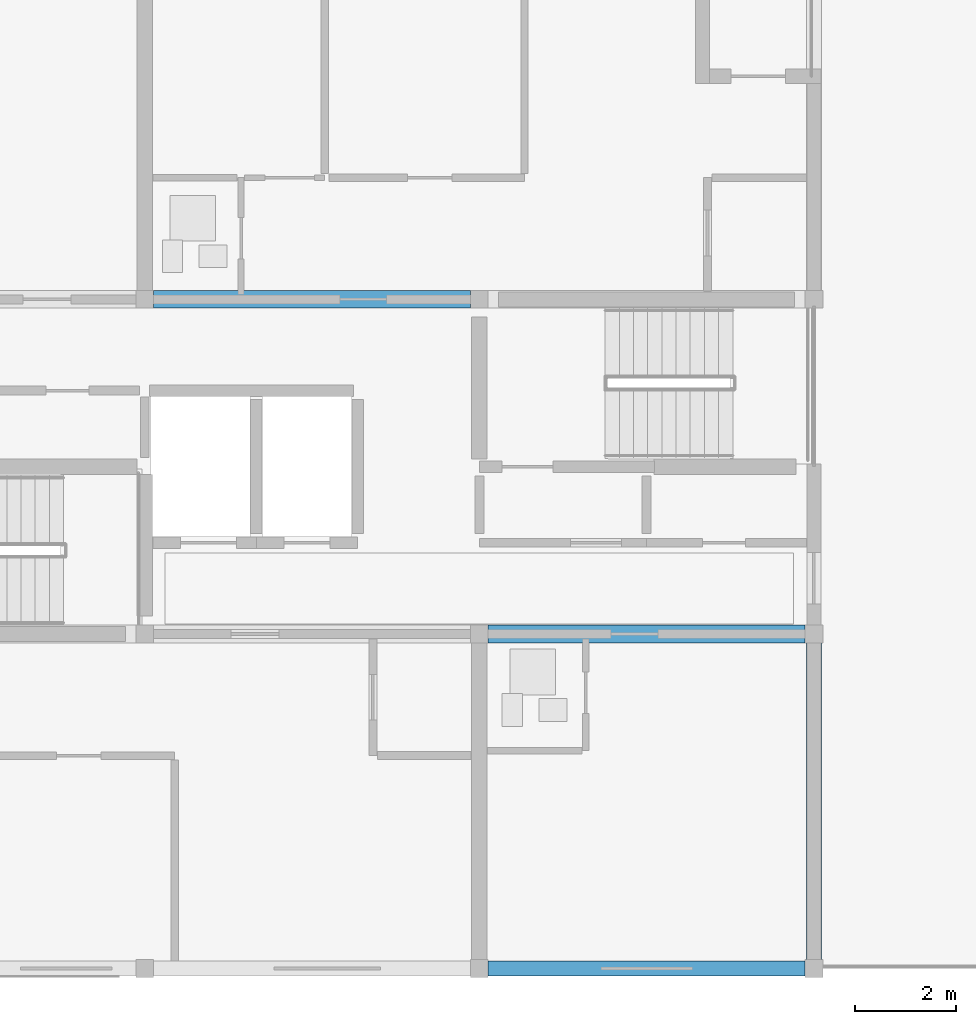
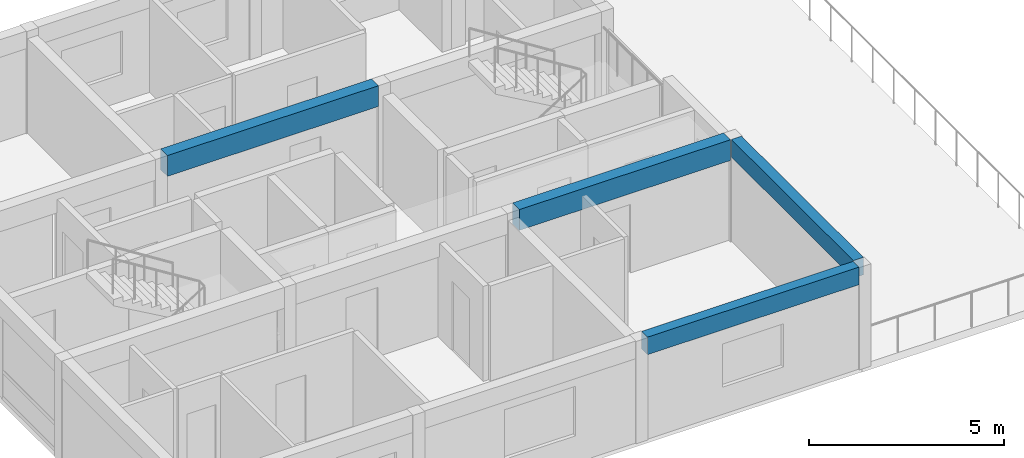
# One storey, part 7 of 46: 4 beams.
"""IFC4 building model written with IfcOpenShell, lengths in metres."""

from ifc_helpers import new_model, si_unit, direction, frame, origin, origin_2d, place, context, subcontext, project, spatial, rectangle, extrude, material, material_profile, profile_set, type_object, element, save


model = new_model("IFC4")

# Units and contexts
model_context = context("Model", 3, precision=1e-05, world=origin(), true_north=direction((0.0, 1.0)))
body_context = subcontext(model_context, "Body", "Model", "MODEL_VIEW")
ifc_project = project(units=[si_unit("LENGTHUNIT", "METRE"), si_unit("AREAUNIT", "SQUARE_METRE"), si_unit("VOLUMEUNIT", "CUBIC_METRE"), si_unit("PLANEANGLEUNIT", "RADIAN"), si_unit("MASSUNIT", "GRAM", prefix="KILO")], contexts=[model_context])

# Site, building, storey
site_placement = place(None, origin())
site = spatial("IfcSite", under=ifc_project, at=site_placement, CompositionType="ELEMENT")
building_placement = place(site_placement, origin())
building = spatial("IfcBuilding", under=site, at=building_placement, Name="Kernevlak Ridge Housing Community", CompositionType="ELEMENT")
storey_placement = place(building_placement, frame((0.0, 0.0, 27.60009765625)))
storey = spatial("IfcBuildingStorey", under=building, at=storey_placement, Name="L08", CompositionType="ELEMENT", Elevation=27.60009765625)

# Beams
ifc_material = material(Name="Concrete C35/45", Category="concrete")
ifc_material_profile_1 = material_profile(ifc_material, rectangle(XDim=0.35009765625, YDim=0.64990234375, at=origin_2d()), Name="RC 350x650")
ifc_profile_set_1 = profile_set([ifc_material_profile_1], Name="Concrete C35/45")
beam_type_1 = type_object("IfcBeamType", Name="B-02", PredefinedType="BEAM", material=ifc_profile_set_1)
for number, where, z_axis, x_axis, name in (
    (1, (28.97509765625, 22.199951171875, 2.875), (1.0, 0.0, 0.0), (0.0, 1.0, 0.0), "Beam B-02 L08 1503"),
    (2, (22.375, 28.800048828125, 2.875), (1.0, 0.0, 0.0), (0.0, 1.0, 0.0), "Beam B-02 L08 1505"),
):
    element("IfcBeam", number, at=place(storey_placement, frame(where, z_axis=z_axis, x_axis=x_axis)), inside=storey, type_object=beam_type_1, Name=name, PredefinedType="BEAM", context=body_context, shape_type="SweptSolid", body=[
        extrude(rectangle(XDim=0.35009765625, YDim=0.64990234375, at=origin_2d()), origin(), (0.0, 0.0, 1.0), 6.25),
    ])
ifc_material_profile_2 = material_profile(ifc_material, rectangle(XDim=0.300048828125, YDim=0.550048828125, at=origin_2d()), Name="RC 300x550")
ifc_profile_set_2 = profile_set([ifc_material_profile_2], Name="Concrete C35/45")
beam_type_2 = type_object("IfcBeamType", Name="SP-01", PredefinedType="SPANDREL", material=ifc_profile_set_2)
for number, where, z_axis, x_axis, name in (
    (3, (28.97509765625, 15.60009765625, 2.9248046875), (1.0, 0.0, 0.0), (0.0, 1.0, 0.0), "Beam SP-01 L08 1500"),
    (4, (35.39990234375, 15.77490234375, 2.9248046875), (0.0, 1.0, 0.0), (-1.0, 0.0, 0.0), "Beam SP-01 L08 1513"),
):
    element("IfcBeam", number, at=place(storey_placement, frame(where, z_axis=z_axis, x_axis=x_axis)), inside=storey, type_object=beam_type_2, Name=name, PredefinedType="SPANDREL", context=body_context, shape_type="SweptSolid", body=[
        extrude(rectangle(XDim=0.300048828125, YDim=0.550048828125, at=origin_2d()), origin(), (0.0, 0.0, 1.0), 6.25),
    ])

save(model, "model.ifc")
